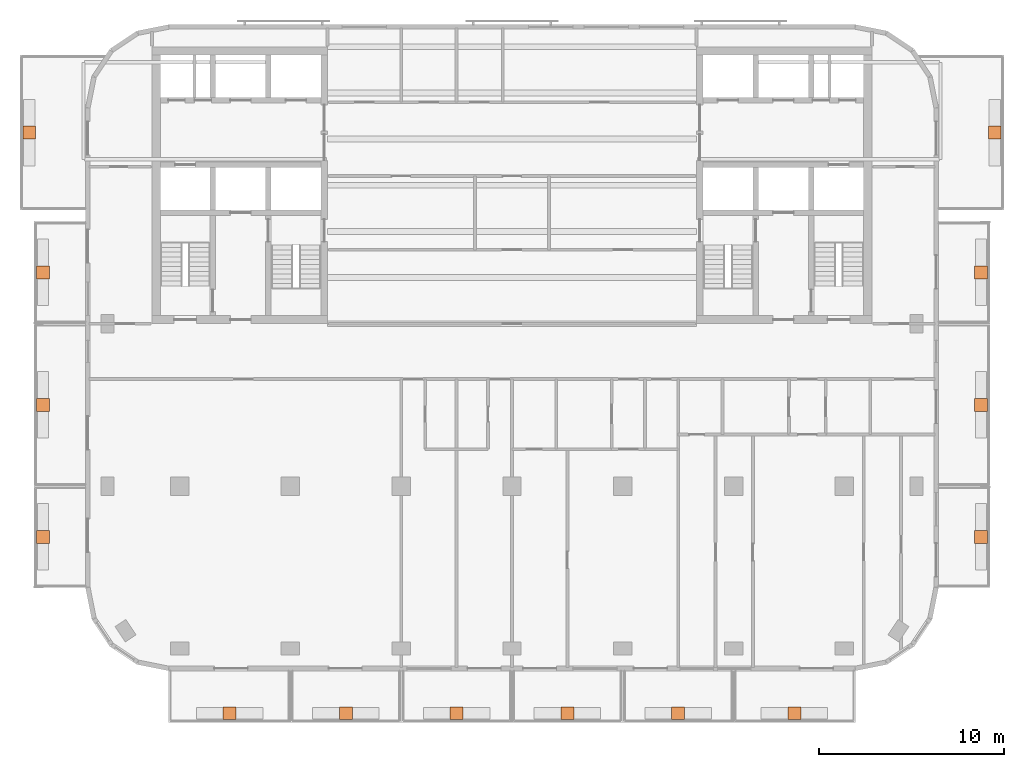
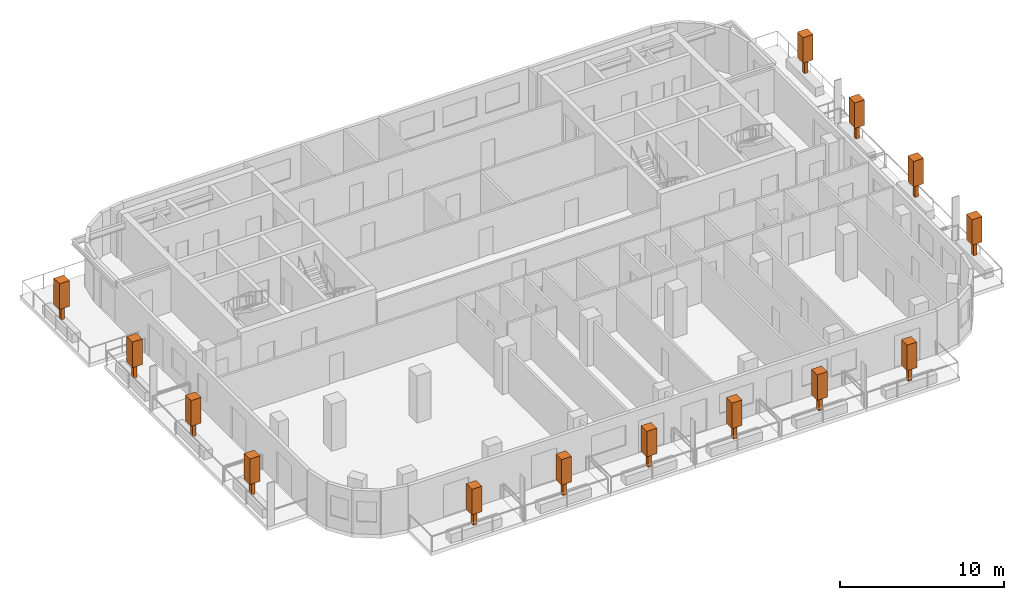
# One storey, part 10 of 10: 14 geographic elements.
"""IFC4 building model written with IfcOpenShell, lengths in metres."""

from ifc_helpers import new_model, si_unit, direction, frame, origin, origin_2d, place, context, subcontext, project, spatial, rectangle, extrude, material, element, save


model = new_model("IFC4")

# Units and contexts
model_context = context("Model", 3, precision=1e-05, world=origin(), true_north=direction((0.0, 1.0)))
body_context = subcontext(model_context, "Body", "Model", "MODEL_VIEW")
ifc_project = project(units=[si_unit("LENGTHUNIT", "METRE"), si_unit("AREAUNIT", "SQUARE_METRE"), si_unit("VOLUMEUNIT", "CUBIC_METRE"), si_unit("PLANEANGLEUNIT", "RADIAN"), si_unit("MASSUNIT", "GRAM", prefix="KILO")], contexts=[model_context])

# Site, building, storey
site_placement = place(None, origin())
site = spatial("IfcSite", under=ifc_project, at=site_placement, CompositionType="ELEMENT")
building_placement = place(site_placement, origin())
building = spatial("IfcBuilding", under=site, at=building_placement, Name="Torana Hotel and Residences", CompositionType="ELEMENT")
storey_placement = place(building_placement, frame((0.0, 0.0, 301.60009765625)))
storey = spatial("IfcBuildingStorey", under=building, at=storey_placement, Name="L80", CompositionType="ELEMENT", Elevation=301.60009765625)

# Geographic elements
ifc_material = material(Name="Foliage", Category="planting")
for number, where, z_axis, x_axis, name in (
    (1, (-15.300048828125, -36.10009765625, 0.64990234375), (0.0, 0.0, 1.0), (1.0, 0.0, 0.0), "Tree 01"),
    (2, (-9.0, -36.10009765625, 0.64990234375), (0.0, 0.0, 1.0), (1.0, 0.0, 0.0), "Tree 02"),
    (3, (-3.0, -36.10009765625, 0.64990234375), (0.0, 0.0, 1.0), (1.0, 0.0, 0.0), "Tree 03"),
    (4, (3.0, -36.10009765625, 0.64990234375), (0.0, 0.0, 1.0), (1.0, 0.0, 0.0), "Tree 04"),
    (5, (9.0, -36.10009765625, 0.64990234375), (0.0, 0.0, 1.0), (1.0, 0.0, 0.0), "Tree 05"),
    (6, (15.300048828125, -36.10009765625, 0.64990234375), (0.0, 0.0, 1.0), (1.0, 0.0, 0.0), "Tree 06"),
    (7, (-25.39990234375, -26.550048828125, 0.64990234375), (0.0, 0.0, 1.0), (1.0, 0.0, 0.0), "Tree 07"),
    (8, (-25.39990234375, -19.39990234375, 0.64990234375), (0.0, 0.0, 1.0), (1.0, 0.0, 0.0), "Tree 08"),
    (9, (-25.39990234375, -12.22509765625, 0.64990234375), (0.0, 0.0, 1.0), (1.0, 0.0, 0.0), "Tree 09"),
    (10, (-26.14990234375, -4.64990234375, 0.64990234375), (0.0, 0.0, 1.0), (1.0, 0.0, 0.0), "Tree 10"),
    (11, (25.39990234375, -26.550048828125, 0.64990234375), (0.0, 0.0, 1.0), (1.0, 0.0, 0.0), "Tree 11"),
    (12, (25.39990234375, -19.39990234375, 0.64990234375), (0.0, 0.0, 1.0), (1.0, 0.0, 0.0), "Tree 12"),
    (13, (25.39990234375, -12.22509765625, 0.64990234375), (0.0, 0.0, 1.0), (1.0, 0.0, 0.0), "Tree 13"),
    (14, (26.14990234375, -4.64990234375, 0.64990234375), (0.0, 0.0, 1.0), (1.0, 0.0, 0.0), "Tree 14"),
):
    element("IfcGeographicElement", number, at=place(storey_placement, frame(where, z_axis=z_axis, x_axis=x_axis)), inside=storey, material=ifc_material, Name=name, ObjectType="TREE", PredefinedType="USERDEFINED", context=body_context, shape_type="SweptSolid", body=[
        extrude(rectangle(XDim=0.25, YDim=0.25, at=origin_2d()), origin(), (0.0, 0.0, 1.0), 1.0),
        extrude(rectangle(XDim=0.699951171875, YDim=0.699951171875, at=origin_2d()), frame((0.0, 0.0, 1.0)), (0.0, 0.0, 1.0), 1.89990234375),
    ])

save(model, "model.ifc")
